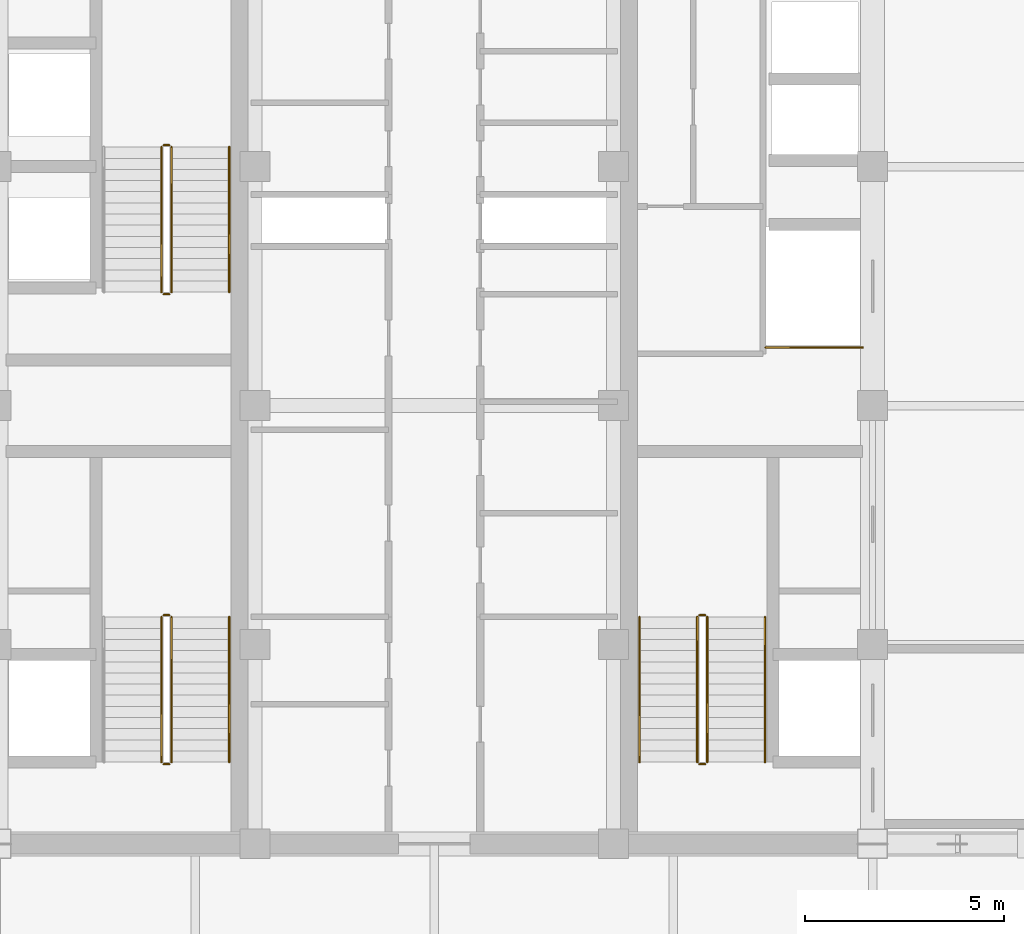
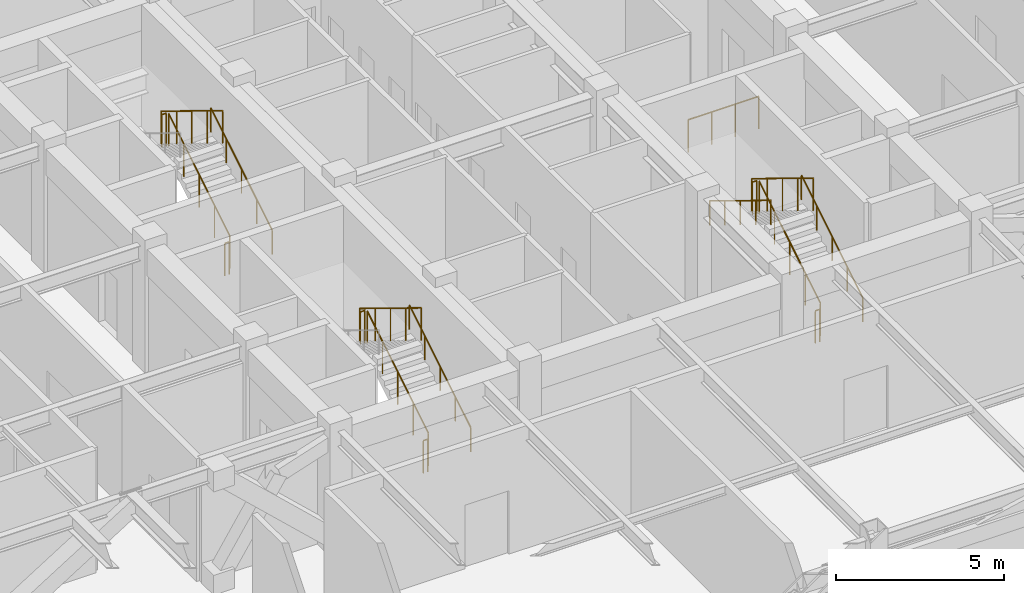
# One storey, part 31 of 32: 17 railings.
"""IFC4 building model written with IfcOpenShell, lengths in metres."""

from ifc_helpers import new_model, si_unit, direction, frame, origin, origin_2d, place, context, subcontext, project, spatial, circle, extrude, source, transform, mapped, material, type_object, element, save


model = new_model("IFC4")

# Units and contexts
model_context = context("Model", 3, precision=1e-05, world=origin(), true_north=direction((0.0, 1.0)))
body_context = subcontext(model_context, "Body", "Model", "MODEL_VIEW")
ifc_project = project(units=[si_unit("LENGTHUNIT", "METRE"), si_unit("AREAUNIT", "SQUARE_METRE"), si_unit("VOLUMEUNIT", "CUBIC_METRE"), si_unit("PLANEANGLEUNIT", "RADIAN"), si_unit("MASSUNIT", "GRAM", prefix="KILO")], contexts=[model_context])

# Site, building, storey
site_placement = place(None, origin())
site = spatial("IfcSite", under=ifc_project, at=site_placement, CompositionType="ELEMENT")
building_placement = place(site_placement, origin())
building = spatial("IfcBuilding", under=site, at=building_placement, Name="Khorayat Bourse Tower", CompositionType="ELEMENT")
storey_placement = place(building_placement, frame((0.0, 0.0, 375.5)))
storey = spatial("IfcBuildingStorey", under=building, at=storey_placement, Name="L89", CompositionType="ELEMENT", Elevation=375.5)

# Railings
ifc_material_1 = material(Name="Powder-coated steel balustrade", Category="steel")
railing_type_1 = type_object("IfcRailingType", Name="RLG-GUARD-1200", PredefinedType="GUARDRAIL", material=ifc_material_1)
shared_shape_1 = source(origin(), body_context, "Body", "SweptSolid", [
    extrude(circle(Radius=0.02392578125, at=origin_2d()), frame((0.0, 0.0, 1.17578125), z_axis=(0.0, 0.852850264322, 0.5221555579), x_axis=(-1.0, 0.0, 0.0)), (0.0, 0.0, 1.0), 4.267822265625),
    extrude(circle(Radius=0.02099609375, at=origin_2d()), origin(), (0.0, 0.0, 1.0), 1.15185546875),
    extrude(circle(Radius=0.02099609375, at=origin_2d()), frame((0.0, 0.909912109375, 0.55712890625)), (0.0, 0.0, 1.0), 1.15185546875),
    extrude(circle(Radius=0.02099609375, at=origin_2d()), frame((0.0, 1.81982421875, 1.1142578125)), (0.0, 0.0, 1.0), 1.15185546875),
    extrude(circle(Radius=0.02099609375, at=origin_2d()), frame((0.0, 2.72998046875, 1.67138671875)), (0.0, 0.0, 1.0), 1.15185546875),
    extrude(circle(Radius=0.02099609375, at=origin_2d()), frame((0.0, 3.639892578125, 2.228515625)), (0.0, 0.0, 1.0), 1.15185546875),
])
for number, where, name in (
    (1, (-6.60009765625, -8.949951171875, 0.17138671875), "L89 ST-1 stair guard 1"),
    (2, (-6.60009765625, 2.85009765625, 0.17138671875), "L89 ST-2 stair guard 1"),
    (3, (6.85009765625, -8.949951171875, 0.17138671875), "L89 ST-3 stair guard 1"),
):
    element("IfcRailing", number, at=place(storey_placement, frame(where)), inside=storey, type_object=railing_type_1, Name=name, PredefinedType="GUARDRAIL", context=body_context, shape_type="MappedRepresentation", body=[
        mapped(shared_shape_1, transform((0.0, 0.0, 0.0), scale=1.0)),
    ])
shared_shape_2 = source(origin(), body_context, "Body", "SweptSolid", [
    extrude(circle(Radius=0.02392578125, at=origin_2d()), frame((0.0, 0.0, 1.17578125), z_axis=(-1.0, 0.0, 0.0), x_axis=(0.0, -1.0, 0.0)), (0.0, 0.0, 1.0), 0.150146484375),
    extrude(circle(Radius=0.02099609375, at=origin_2d()), origin(), (0.0, 0.0, 1.0), 1.15185546875),
    extrude(circle(Radius=0.02099609375, at=origin_2d()), frame((-0.150146484375, 0.0, 0.0)), (0.0, 0.0, 1.0), 1.15185546875),
])
for number, where, name in (
    (4, (-6.64990234375, -5.260009765625, 2.39990234375), "L89 ST-1 stair guard 2"),
    (5, (-6.64990234375, -9.0, 0.0), "L89 ST-1 stair guard 4"),
    (6, (-6.64990234375, 6.5400390625, 2.39990234375), "L89 ST-2 stair guard 2"),
    (7, (-6.64990234375, 2.800048828125, 0.0), "L89 ST-2 stair guard 4"),
    (8, (6.800048828125, -5.260009765625, 2.39990234375), "L89 ST-3 stair guard 2"),
    (9, (6.800048828125, -9.0, 0.0), "L89 ST-3 stair guard 4"),
):
    element("IfcRailing", number, at=place(storey_placement, frame(where)), inside=storey, type_object=railing_type_1, Name=name, PredefinedType="GUARDRAIL", context=body_context, shape_type="MappedRepresentation", body=[
        mapped(shared_shape_2, transform((0.0, 0.0, 0.0), scale=1.0)),
    ])
shared_shape_3 = source(origin(), body_context, "Body", "SweptSolid", [
    extrude(circle(Radius=0.02392578125, at=origin_2d()), frame((0.0, 0.0, 1.17578125), z_axis=(0.0, -0.852850264322, 0.5221555579), x_axis=(1.0, 0.0, 0.0)), (0.0, 0.0, 1.0), 4.267822265625),
    extrude(circle(Radius=0.02099609375, at=origin_2d()), origin(), (0.0, 0.0, 1.0), 1.15185546875),
    extrude(circle(Radius=0.02099609375, at=origin_2d()), frame((0.0, -0.909912109375, 0.55712890625)), (0.0, 0.0, 1.0), 1.15185546875),
    extrude(circle(Radius=0.02099609375, at=origin_2d()), frame((0.0, -1.81982421875, 1.1142578125)), (0.0, 0.0, 1.0), 1.15185546875),
    extrude(circle(Radius=0.02099609375, at=origin_2d()), frame((0.0, -2.72998046875, 1.67138671875)), (0.0, 0.0, 1.0), 1.15185546875),
    extrude(circle(Radius=0.02099609375, at=origin_2d()), frame((0.0, -3.639892578125, 2.228515625)), (0.0, 0.0, 1.0), 1.15185546875),
])
for number, where, name in (
    (10, (-6.85009765625, -5.31005859375, 2.571533203125), "L89 ST-1 stair guard 3"),
    (11, (-6.85009765625, 6.489990234375, 2.571533203125), "L89 ST-2 stair guard 3"),
    (12, (6.60009765625, -5.31005859375, 2.571533203125), "L89 ST-3 stair guard 3"),
):
    element("IfcRailing", number, at=place(storey_placement, frame(where)), inside=storey, type_object=railing_type_1, Name=name, PredefinedType="GUARDRAIL", context=body_context, shape_type="MappedRepresentation", body=[
        mapped(shared_shape_3, transform((0.0, 0.0, 0.0), scale=1.0)),
    ])
ifc_material_2 = material(Name="Brushed bronze stainless-steel handrail", Category="steel")
railing_type_2 = type_object("IfcRailingType", Name="RLG-HAND-900", PredefinedType="HANDRAIL", material=ifc_material_2)
shared_shape_4 = source(origin(), body_context, "Body", "SweptSolid", [
    extrude(circle(Radius=0.02392578125, at=origin_2d()), frame((0.0, 0.0, 0.8759765625), z_axis=(0.0, 0.852850264322, 0.5221555579), x_axis=(-1.0, 0.0, 0.0)), (0.0, 0.0, 1.0), 4.267822265625),
    extrude(circle(Radius=0.02099609375, at=origin_2d()), origin(), (0.0, 0.0, 1.0), 0.851806640625),
    extrude(circle(Radius=0.02099609375, at=origin_2d()), frame((0.0, 0.909912109375, 0.55712890625)), (0.0, 0.0, 1.0), 0.851806640625),
    extrude(circle(Radius=0.02099609375, at=origin_2d()), frame((0.0, 1.81982421875, 1.1142578125)), (0.0, 0.0, 1.0), 0.851806640625),
    extrude(circle(Radius=0.02099609375, at=origin_2d()), frame((0.0, 2.72998046875, 1.67138671875)), (0.0, 0.0, 1.0), 0.851806640625),
    extrude(circle(Radius=0.02099609375, at=origin_2d()), frame((0.0, 3.639892578125, 2.228515625)), (0.0, 0.0, 1.0), 0.851806640625),
])
for number, where, name in (
    (13, (-5.14990234375, -8.949951171875, 0.17138671875), "L89 ST-1 stair handrail 1"),
    (14, (-5.14990234375, 2.85009765625, 0.17138671875), "L89 ST-2 stair handrail 1"),
    (15, (8.300048828125, -8.949951171875, 0.17138671875), "L89 ST-3 stair handrail 1"),
):
    element("IfcRailing", number, at=place(storey_placement, frame(where)), inside=storey, type_object=railing_type_2, Name=name, PredefinedType="HANDRAIL", context=body_context, shape_type="MappedRepresentation", body=[
        mapped(shared_shape_4, transform((0.0, 0.0, 0.0), scale=1.0)),
    ])
shared_shape_5 = source(origin(), body_context, "Body", "SweptSolid", [
    extrude(circle(Radius=0.02392578125, at=origin_2d()), frame((0.0, 0.0, 0.8759765625), z_axis=(0.0, -0.852850264322, 0.5221555579), x_axis=(1.0, 0.0, 0.0)), (0.0, 0.0, 1.0), 4.267822265625),
    extrude(circle(Radius=0.02099609375, at=origin_2d()), origin(), (0.0, 0.0, 1.0), 0.851806640625),
    extrude(circle(Radius=0.02099609375, at=origin_2d()), frame((0.0, -0.909912109375, 0.55712890625)), (0.0, 0.0, 1.0), 0.851806640625),
    extrude(circle(Radius=0.02099609375, at=origin_2d()), frame((0.0, -1.81982421875, 1.1142578125)), (0.0, 0.0, 1.0), 0.851806640625),
    extrude(circle(Radius=0.02099609375, at=origin_2d()), frame((0.0, -2.72998046875, 1.67138671875)), (0.0, 0.0, 1.0), 0.851806640625),
    extrude(circle(Radius=0.02099609375, at=origin_2d()), frame((0.0, -3.639892578125, 2.228515625)), (0.0, 0.0, 1.0), 0.851806640625),
])
railing_1_placement = place(storey_placement, frame((5.14990234375, -5.31005859375, 2.571533203125)))
element("IfcRailing", 16, at=railing_1_placement, inside=storey, type_object=railing_type_2, Name="L89 ST-3 stair handrail 2", PredefinedType="HANDRAIL", context=body_context, shape_type="MappedRepresentation", body=[
    mapped(shared_shape_5, transform((0.0, 0.0, 0.0), scale=1.0)),
])
shared_shape_6 = source(origin(), body_context, "Body", "SweptSolid", [
    extrude(circle(Radius=0.02392578125, at=origin_2d()), frame((0.0, 0.0, 1.17578125), z_axis=(1.0, 0.0, 0.0), x_axis=(0.0, 1.0, 0.0)), (0.0, 0.0, 1.0), 2.429931640625),
    extrude(circle(Radius=0.02099609375, at=origin_2d()), origin(), (0.0, 0.0, 1.0), 1.15185546875),
    extrude(circle(Radius=0.02099609375, at=origin_2d()), frame((0.81005859375, 0.0, 0.0)), (0.0, 0.0, 1.0), 1.15185546875),
    extrude(circle(Radius=0.02099609375, at=origin_2d()), frame((1.619873046875, 0.0, 0.0)), (0.0, 0.0, 1.0), 1.15185546875),
    extrude(circle(Radius=0.02099609375, at=origin_2d()), frame((2.429931640625, 0.0, 0.0)), (0.0, 0.0, 1.0), 1.15185546875),
])
railing_2_placement = place(storey_placement, frame((8.320068359375, 1.4599609375, 0.0)))
element("IfcRailing", 17, at=railing_2_placement, inside=storey, type_object=railing_type_1, Name="L89 Goods Shaft Opening Guardrail", PredefinedType="GUARDRAIL", context=body_context, shape_type="MappedRepresentation", body=[
    mapped(shared_shape_6, transform((0.0, 0.0, 0.0), scale=1.0)),
])

save(model, "model.ifc")
